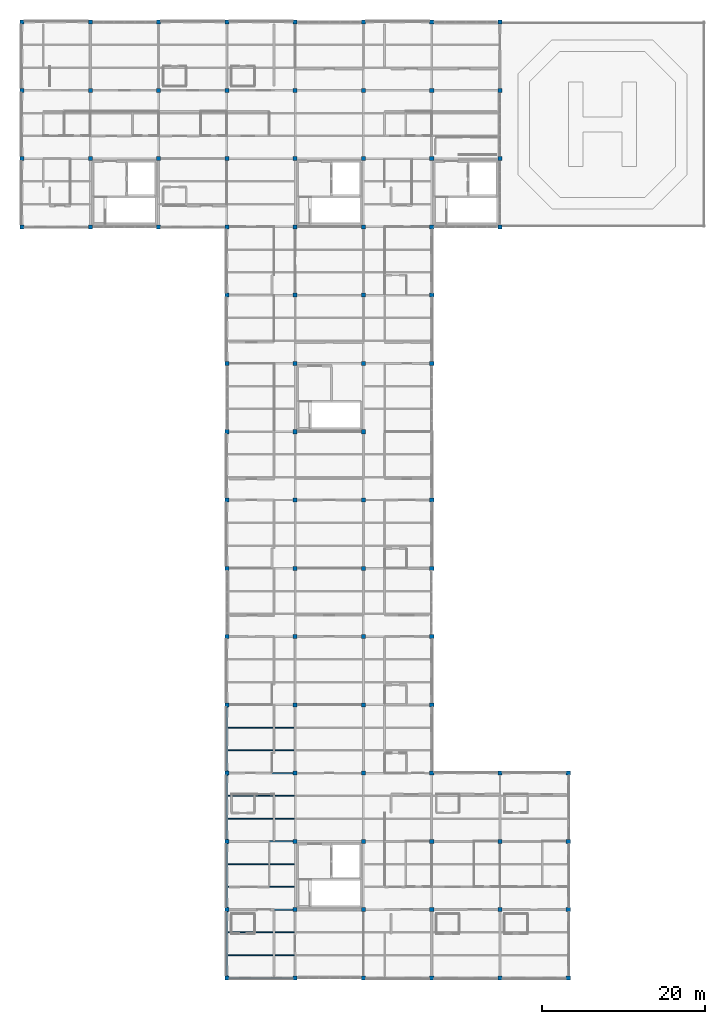
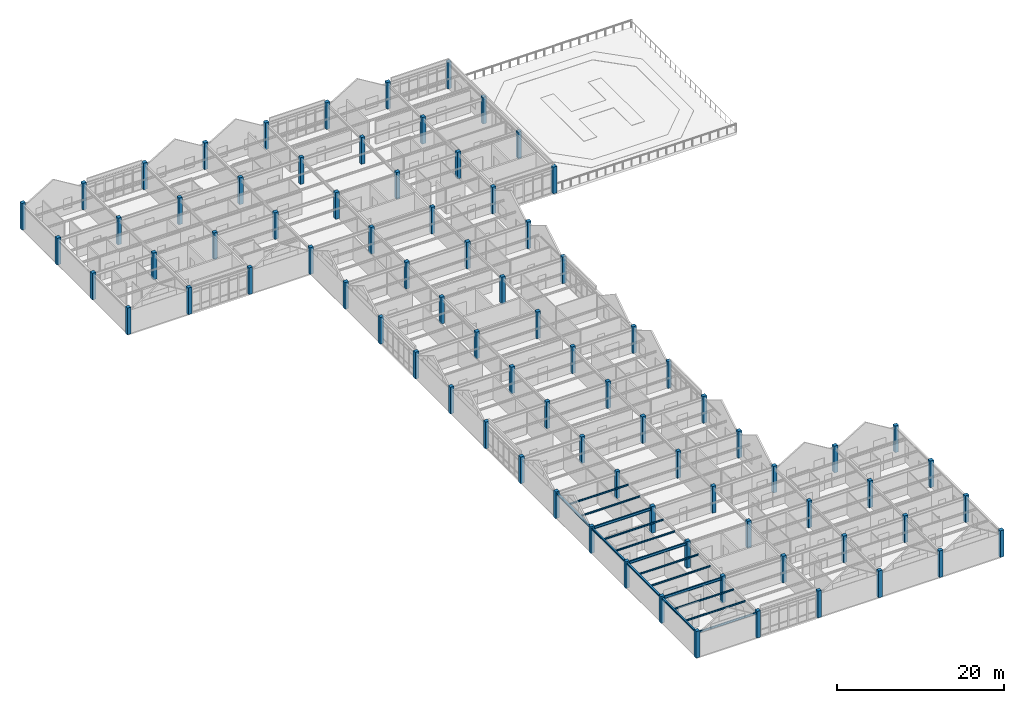
# One storey, part 1 of 45: 83 columns, 16 beams.
"""IFC4 building model written with IfcOpenShell, lengths in metres."""

from ifc_helpers import new_model, si_unit, direction, frame, origin, origin_2d, place, context, subcontext, project, spatial, rectangle, hollow_rectangle, i_section, extrude, material, material_profile, profile_set, type_object, element, save


model = new_model("IFC4")

# Units and contexts
model_context = context("Model", 3, precision=1e-05, world=origin(), true_north=direction((0.0, 1.0)))
body_context = subcontext(model_context, "Body", "Model", "MODEL_VIEW")
ifc_project = project(units=[si_unit("LENGTHUNIT", "METRE"), si_unit("AREAUNIT", "SQUARE_METRE"), si_unit("VOLUMEUNIT", "CUBIC_METRE"), si_unit("PLANEANGLEUNIT", "RADIAN"), si_unit("MASSUNIT", "GRAM", prefix="KILO")], contexts=[model_context])

# Site, building, storey
site_placement = place(None, origin())
site = spatial("IfcSite", under=ifc_project, at=site_placement, CompositionType="ELEMENT")
building_placement = place(site_placement, origin())
building = spatial("IfcBuilding", under=site, at=building_placement, Name="Bramfleet General Hospital", CompositionType="ELEMENT")
storey_placement = place(building_placement, frame((0.0, 0.0, 30.300048828125)))
storey = spatial("IfcBuildingStorey", under=building, at=storey_placement, Name="L07", CompositionType="ELEMENT", Elevation=30.300048828125)

# Columns
ifc_material_1 = material(Name="Concrete C40/50", Category="concrete")
ifc_material_profile_1 = material_profile(ifc_material_1, rectangle(XDim=0.5, YDim=0.5, at=origin_2d()), Name="RC COL 500x500")
ifc_profile_set_1 = profile_set([ifc_material_profile_1], Name="Concrete C40/50")
column_type = type_object("IfcColumnType", Name="COL-RC500", PredefinedType="COLUMN", material=ifc_profile_set_1)
for number, where, z_axis, x_axis, name in (
    (1, (67.199951171875, 92.39990234375, 0.0), (0.0, 0.0, 1.0), (1.0, 0.0, 0.0), "Column COL-L07-08-11"),
    (2, (67.199951171875, 100.800048828125, 0.0), (0.0, 0.0, 1.0), (1.0, 0.0, 0.0), "Column COL-L07-08-12"),
    (3, (67.199951171875, 109.199951171875, 0.0), (0.0, 0.0, 1.0), (1.0, 0.0, 0.0), "Column COL-L07-08-13"),
    (4, (67.199951171875, 117.60009765625, 0.0), (0.0, 0.0, 1.0), (1.0, 0.0, 0.0), "Column COL-L07-08-14"),
    (5, (75.60009765625, 92.39990234375, 0.0), (0.0, 0.0, 1.0), (1.0, 0.0, 0.0), "Column COL-L07-09-11"),
    (6, (75.60009765625, 100.800048828125, 0.0), (0.0, 0.0, 1.0), (1.0, 0.0, 0.0), "Column COL-L07-09-12"),
    (7, (75.60009765625, 109.199951171875, 0.0), (0.0, 0.0, 1.0), (1.0, 0.0, 0.0), "Column COL-L07-09-13"),
    (8, (75.60009765625, 117.60009765625, 0.0), (0.0, 0.0, 1.0), (1.0, 0.0, 0.0), "Column COL-L07-09-14"),
    (9, (84.0, 92.39990234375, 0.0), (0.0, 0.0, 1.0), (1.0, 0.0, 0.0), "Column COL-L07-10-11"),
    (10, (84.0, 100.800048828125, 0.0), (0.0, 0.0, 1.0), (1.0, 0.0, 0.0), "Column COL-L07-10-12"),
    (11, (84.0, 109.199951171875, 0.0), (0.0, 0.0, 1.0), (1.0, 0.0, 0.0), "Column COL-L07-10-13"),
    (12, (84.0, 117.60009765625, 0.0), (0.0, 0.0, 1.0), (1.0, 0.0, 0.0), "Column COL-L07-10-14"),
    (13, (92.39990234375, 0.0, 0.0), (0.0, 0.0, 1.0), (1.0, 0.0, 0.0), "Column COL-L07-11-00"),
    (14, (92.39990234375, 8.39990234375, 0.0), (0.0, 0.0, 1.0), (1.0, 0.0, 0.0), "Column COL-L07-11-01"),
    (15, (92.39990234375, 16.800048828125, 0.0), (0.0, 0.0, 1.0), (1.0, 0.0, 0.0), "Column COL-L07-11-02"),
    (16, (92.39990234375, 25.199951171875, 0.0), (0.0, 0.0, 1.0), (1.0, 0.0, 0.0), "Column COL-L07-11-03"),
    (17, (92.39990234375, 33.60009765625, 0.0), (0.0, 0.0, 1.0), (1.0, 0.0, 0.0), "Column COL-L07-11-04"),
    (18, (92.39990234375, 42.0, 0.0), (0.0, 0.0, 1.0), (1.0, 0.0, 0.0), "Column COL-L07-11-05"),
    (19, (92.39990234375, 50.39990234375, 0.0), (0.0, 0.0, 1.0), (1.0, 0.0, 0.0), "Column COL-L07-11-06"),
    (20, (92.39990234375, 58.800048828125, 0.0), (0.0, 0.0, 1.0), (1.0, 0.0, 0.0), "Column COL-L07-11-07"),
    (21, (92.39990234375, 67.199951171875, 0.0), (0.0, 0.0, 1.0), (1.0, 0.0, 0.0), "Column COL-L07-11-08"),
    (22, (92.39990234375, 75.60009765625, 0.0), (0.0, 0.0, 1.0), (1.0, 0.0, 0.0), "Column COL-L07-11-09"),
    (23, (92.39990234375, 84.0, 0.0), (0.0, 0.0, 1.0), (1.0, 0.0, 0.0), "Column COL-L07-11-10"),
    (24, (92.39990234375, 92.39990234375, 0.0), (0.0, 0.0, 1.0), (1.0, 0.0, 0.0), "Column COL-L07-11-11"),
    (25, (92.39990234375, 100.800048828125, 0.0), (0.0, 0.0, 1.0), (1.0, 0.0, 0.0), "Column COL-L07-11-12"),
    (26, (92.39990234375, 109.199951171875, 0.0), (0.0, 0.0, 1.0), (1.0, 0.0, 0.0), "Column COL-L07-11-13"),
    (27, (92.39990234375, 117.60009765625, 0.0), (0.0, 0.0, 1.0), (1.0, 0.0, 0.0), "Column COL-L07-11-14"),
    (28, (100.800048828125, 0.0, 0.0), (0.0, 0.0, 1.0), (1.0, 0.0, 0.0), "Column COL-L07-12-00"),
    (29, (100.800048828125, 8.39990234375, 0.0), (0.0, 0.0, 1.0), (1.0, 0.0, 0.0), "Column COL-L07-12-01"),
    (30, (100.800048828125, 16.800048828125, 0.0), (0.0, 0.0, 1.0), (1.0, 0.0, 0.0), "Column COL-L07-12-02"),
    (31, (100.800048828125, 25.199951171875, 0.0), (0.0, 0.0, 1.0), (1.0, 0.0, 0.0), "Column COL-L07-12-03"),
    (32, (100.800048828125, 33.60009765625, 0.0), (0.0, 0.0, 1.0), (1.0, 0.0, 0.0), "Column COL-L07-12-04"),
    (33, (100.800048828125, 42.0, 0.0), (0.0, 0.0, 1.0), (1.0, 0.0, 0.0), "Column COL-L07-12-05"),
    (34, (100.800048828125, 50.39990234375, 0.0), (0.0, 0.0, 1.0), (1.0, 0.0, 0.0), "Column COL-L07-12-06"),
    (35, (100.800048828125, 58.800048828125, 0.0), (0.0, 0.0, 1.0), (1.0, 0.0, 0.0), "Column COL-L07-12-07"),
    (36, (100.800048828125, 67.199951171875, 0.0), (0.0, 0.0, 1.0), (1.0, 0.0, 0.0), "Column COL-L07-12-08"),
    (37, (100.800048828125, 75.60009765625, 0.0), (0.0, 0.0, 1.0), (1.0, 0.0, 0.0), "Column COL-L07-12-09"),
    (38, (100.800048828125, 84.0, 0.0), (0.0, 0.0, 1.0), (1.0, 0.0, 0.0), "Column COL-L07-12-10"),
    (39, (100.800048828125, 92.39990234375, 0.0), (0.0, 0.0, 1.0), (1.0, 0.0, 0.0), "Column COL-L07-12-11"),
    (40, (100.800048828125, 100.800048828125, 0.0), (0.0, 0.0, 1.0), (1.0, 0.0, 0.0), "Column COL-L07-12-12"),
    (41, (100.800048828125, 109.199951171875, 0.0), (0.0, 0.0, 1.0), (1.0, 0.0, 0.0), "Column COL-L07-12-13"),
    (42, (100.800048828125, 117.60009765625, 0.0), (0.0, 0.0, 1.0), (1.0, 0.0, 0.0), "Column COL-L07-12-14"),
    (43, (109.199951171875, 0.0, 0.0), (0.0, 0.0, 1.0), (1.0, 0.0, 0.0), "Column COL-L07-13-00"),
    (44, (109.199951171875, 8.39990234375, 0.0), (0.0, 0.0, 1.0), (1.0, 0.0, 0.0), "Column COL-L07-13-01"),
    (45, (109.199951171875, 16.800048828125, 0.0), (0.0, 0.0, 1.0), (1.0, 0.0, 0.0), "Column COL-L07-13-02"),
    (46, (109.199951171875, 25.199951171875, 0.0), (0.0, 0.0, 1.0), (1.0, 0.0, 0.0), "Column COL-L07-13-03"),
    (47, (109.199951171875, 33.60009765625, 0.0), (0.0, 0.0, 1.0), (1.0, 0.0, 0.0), "Column COL-L07-13-04"),
    (48, (109.199951171875, 42.0, 0.0), (0.0, 0.0, 1.0), (1.0, 0.0, 0.0), "Column COL-L07-13-05"),
    (49, (109.199951171875, 50.39990234375, 0.0), (0.0, 0.0, 1.0), (1.0, 0.0, 0.0), "Column COL-L07-13-06"),
    (50, (109.199951171875, 58.800048828125, 0.0), (0.0, 0.0, 1.0), (1.0, 0.0, 0.0), "Column COL-L07-13-07"),
    (51, (109.199951171875, 67.199951171875, 0.0), (0.0, 0.0, 1.0), (1.0, 0.0, 0.0), "Column COL-L07-13-08"),
    (52, (109.199951171875, 75.60009765625, 0.0), (0.0, 0.0, 1.0), (1.0, 0.0, 0.0), "Column COL-L07-13-09"),
    (53, (109.199951171875, 84.0, 0.0), (0.0, 0.0, 1.0), (1.0, 0.0, 0.0), "Column COL-L07-13-10"),
    (54, (109.199951171875, 92.39990234375, 0.0), (0.0, 0.0, 1.0), (1.0, 0.0, 0.0), "Column COL-L07-13-11"),
    (55, (109.199951171875, 100.800048828125, 0.0), (0.0, 0.0, 1.0), (1.0, 0.0, 0.0), "Column COL-L07-13-12"),
    (56, (109.199951171875, 109.199951171875, 0.0), (0.0, 0.0, 1.0), (1.0, 0.0, 0.0), "Column COL-L07-13-13"),
    (57, (109.199951171875, 117.60009765625, 0.0), (0.0, 0.0, 1.0), (1.0, 0.0, 0.0), "Column COL-L07-13-14"),
    (58, (117.60009765625, 0.0, 0.0), (0.0, 0.0, 1.0), (1.0, 0.0, 0.0), "Column COL-L07-14-00"),
    (59, (117.60009765625, 8.39990234375, 0.0), (0.0, 0.0, 1.0), (1.0, 0.0, 0.0), "Column COL-L07-14-01"),
    (60, (117.60009765625, 16.800048828125, 0.0), (0.0, 0.0, 1.0), (1.0, 0.0, 0.0), "Column COL-L07-14-02"),
    (61, (117.60009765625, 25.199951171875, 0.0), (0.0, 0.0, 1.0), (1.0, 0.0, 0.0), "Column COL-L07-14-03"),
    (62, (117.60009765625, 33.60009765625, 0.0), (0.0, 0.0, 1.0), (1.0, 0.0, 0.0), "Column COL-L07-14-04"),
    (63, (117.60009765625, 42.0, 0.0), (0.0, 0.0, 1.0), (1.0, 0.0, 0.0), "Column COL-L07-14-05"),
    (64, (117.60009765625, 50.39990234375, 0.0), (0.0, 0.0, 1.0), (1.0, 0.0, 0.0), "Column COL-L07-14-06"),
    (65, (117.60009765625, 58.800048828125, 0.0), (0.0, 0.0, 1.0), (1.0, 0.0, 0.0), "Column COL-L07-14-07"),
    (66, (117.60009765625, 75.60009765625, 0.0), (0.0, 0.0, 1.0), (1.0, 0.0, 0.0), "Column COL-L07-14-09"),
    (67, (117.60009765625, 84.0, 0.0), (0.0, 0.0, 1.0), (1.0, 0.0, 0.0), "Column COL-L07-14-10"),
    (68, (117.60009765625, 92.39990234375, 0.0), (0.0, 0.0, 1.0), (1.0, 0.0, 0.0), "Column COL-L07-14-11"),
    (69, (117.60009765625, 100.800048828125, 0.0), (0.0, 0.0, 1.0), (1.0, 0.0, 0.0), "Column COL-L07-14-12"),
    (70, (117.60009765625, 109.199951171875, 0.0), (0.0, 0.0, 1.0), (1.0, 0.0, 0.0), "Column COL-L07-14-13"),
    (71, (117.60009765625, 117.60009765625, 0.0), (0.0, 0.0, 1.0), (1.0, 0.0, 0.0), "Column COL-L07-14-14"),
    (72, (126.0, 0.0, 0.0), (0.0, 0.0, 1.0), (1.0, 0.0, 0.0), "Column COL-L07-15-00"),
    (73, (126.0, 8.39990234375, 0.0), (0.0, 0.0, 1.0), (1.0, 0.0, 0.0), "Column COL-L07-15-01"),
    (74, (126.0, 16.800048828125, 0.0), (0.0, 0.0, 1.0), (1.0, 0.0, 0.0), "Column COL-L07-15-02"),
    (75, (126.0, 25.199951171875, 0.0), (0.0, 0.0, 1.0), (1.0, 0.0, 0.0), "Column COL-L07-15-03"),
    (76, (126.0, 92.39990234375, 0.0), (0.0, 0.0, 1.0), (1.0, 0.0, 0.0), "Column COL-L07-15-11"),
    (77, (126.0, 100.800048828125, 0.0), (0.0, 0.0, 1.0), (1.0, 0.0, 0.0), "Column COL-L07-15-12"),
    (78, (126.0, 109.199951171875, 0.0), (0.0, 0.0, 1.0), (1.0, 0.0, 0.0), "Column COL-L07-15-13"),
    (79, (126.0, 117.60009765625, 0.0), (0.0, 0.0, 1.0), (1.0, 0.0, 0.0), "Column COL-L07-15-14"),
    (80, (134.39990234375, 0.0, 0.0), (0.0, 0.0, 1.0), (1.0, 0.0, 0.0), "Column COL-L07-16-00"),
    (81, (134.39990234375, 8.39990234375, 0.0), (0.0, 0.0, 1.0), (1.0, 0.0, 0.0), "Column COL-L07-16-01"),
    (82, (134.39990234375, 16.800048828125, 0.0), (0.0, 0.0, 1.0), (1.0, 0.0, 0.0), "Column COL-L07-16-02"),
    (83, (134.39990234375, 25.199951171875, 0.0), (0.0, 0.0, 1.0), (1.0, 0.0, 0.0), "Column COL-L07-16-03"),
):
    element("IfcColumn", number, at=place(storey_placement, frame(where, z_axis=z_axis, x_axis=x_axis)), inside=storey, type_object=column_type, Name=name, PredefinedType="COLUMN", context=body_context, shape_type="SweptSolid", body=[
        extrude(rectangle(XDim=0.5, YDim=0.5, at=origin_2d()), origin(), (0.0, 0.0, 1.0), 3.89990234375),
    ])

# Beams
ifc_material_2 = material(Name="Steel S355", Category="steel")
ifc_material_profile_2 = material_profile(ifc_material_2, i_section(OverallWidth=0.239990234375, OverallDepth=0.22998046875, WebThickness=0.007568359375, FlangeThickness=0.011962890625, FilletRadius=0.02099609375, at=origin_2d()), Name="HEA 240")
ifc_profile_set_2 = profile_set([ifc_material_profile_2], Name="Steel S355")
beam_type_1 = type_object("IfcBeamType", Name="BM-HEA240", PredefinedType="SPANDREL", material=ifc_profile_set_2)
beam_1_placement = place(storey_placement, frame((92.39990234375, 0.25, 3.544921875), z_axis=(0.0, 1.0, 0.0), x_axis=(-1.0, 0.0, 0.0)))
element("IfcBeam", 84, at=beam_1_placement, inside=storey, type_object=beam_type_1, Name="L07 Grid Beam Y 11-00", PredefinedType="SPANDREL", context=body_context, shape_type="SweptSolid", body=[
    extrude(i_section(OverallWidth=0.239990234375, OverallDepth=0.22998046875, WebThickness=0.007568359375, FlangeThickness=0.011962890625, FilletRadius=0.02099609375, at=origin_2d()), origin(), (0.0, 0.0, 1.0), 7.89990234375),
])
beam_2_placement = place(storey_placement, frame((92.39990234375, 8.64990234375, 3.544921875), z_axis=(0.0, 1.0, 0.0), x_axis=(-1.0, 0.0, 0.0)))
element("IfcBeam", 85, at=beam_2_placement, inside=storey, type_object=beam_type_1, Name="L07 Grid Beam Y 11-01", PredefinedType="SPANDREL", context=body_context, shape_type="SweptSolid", body=[
    extrude(i_section(OverallWidth=0.239990234375, OverallDepth=0.22998046875, WebThickness=0.007568359375, FlangeThickness=0.011962890625, FilletRadius=0.02099609375, at=origin_2d()), origin(), (0.0, 0.0, 1.0), 7.900146484375),
])
beam_3_placement = place(storey_placement, frame((92.39990234375, 17.050048828125, 3.544921875), z_axis=(0.0, 1.0, 0.0), x_axis=(-1.0, 0.0, 0.0)))
element("IfcBeam", 86, at=beam_3_placement, inside=storey, type_object=beam_type_1, Name="L07 Grid Beam Y 11-02", PredefinedType="SPANDREL", context=body_context, shape_type="SweptSolid", body=[
    extrude(i_section(OverallWidth=0.239990234375, OverallDepth=0.22998046875, WebThickness=0.007568359375, FlangeThickness=0.011962890625, FilletRadius=0.02099609375, at=origin_2d()), origin(), (0.0, 0.0, 1.0), 7.89990234375),
])
beam_4_placement = place(storey_placement, frame((92.39990234375, 25.449951171875, 3.544921875), z_axis=(0.0, 1.0, 0.0), x_axis=(-1.0, 0.0, 0.0)))
element("IfcBeam", 87, at=beam_4_placement, inside=storey, type_object=beam_type_1, Name="L07 Grid Beam Y 11-03", PredefinedType="SPANDREL", context=body_context, shape_type="SweptSolid", body=[
    extrude(i_section(OverallWidth=0.239990234375, OverallDepth=0.22998046875, WebThickness=0.007568359375, FlangeThickness=0.011962890625, FilletRadius=0.02099609375, at=origin_2d()), origin(), (0.0, 0.0, 1.0), 7.900146484375),
])
ifc_material_profile_3 = material_profile(ifc_material_2, i_section(OverallWidth=0.1201171875, OverallDepth=0.239990234375, WebThickness=0.006103515625, FlangeThickness=0.009765625, FilletRadius=0.014892578125, at=origin_2d()), Name="IPE 240")
ifc_profile_set_3 = profile_set([ifc_material_profile_3], Name="Steel S355")
beam_type_2 = type_object("IfcBeamType", Name="BM-IPE240", PredefinedType="JOIST", material=ifc_profile_set_3)
for number, where, z_axis, x_axis, name in (
    (88, (92.52001953125, 2.800048828125, 3.5400390625), (1.0, 0.0, 0.0), (0.0, 1.0, 0.0), "L07 Secondary Joist 11-00-1"),
    (89, (92.52001953125, 5.60009765625, 3.5400390625), (1.0, 0.0, 0.0), (0.0, 1.0, 0.0), "L07 Secondary Joist 11-00-2"),
    (90, (92.52001953125, 11.199951171875, 3.5400390625), (1.0, 0.0, 0.0), (0.0, 1.0, 0.0), "L07 Secondary Joist 11-01-1"),
    (91, (92.52001953125, 14.0, 3.5400390625), (1.0, 0.0, 0.0), (0.0, 1.0, 0.0), "L07 Secondary Joist 11-01-2"),
    (92, (92.52001953125, 19.60009765625, 3.5400390625), (1.0, 0.0, 0.0), (0.0, 1.0, 0.0), "L07 Secondary Joist 11-02-1"),
    (93, (92.52001953125, 22.39990234375, 3.5400390625), (1.0, 0.0, 0.0), (0.0, 1.0, 0.0), "L07 Secondary Joist 11-02-2"),
    (94, (92.52001953125, 28.0, 3.5400390625), (1.0, 0.0, 0.0), (0.0, 1.0, 0.0), "L07 Secondary Joist 11-03-1"),
    (95, (92.52001953125, 30.800048828125, 3.5400390625), (1.0, 0.0, 0.0), (0.0, 1.0, 0.0), "L07 Secondary Joist 11-03-2"),
):
    element("IfcBeam", number, at=place(storey_placement, frame(where, z_axis=z_axis, x_axis=x_axis)), inside=storey, type_object=beam_type_2, Name=name, PredefinedType="JOIST", context=body_context, shape_type="SweptSolid", body=[
        extrude(i_section(OverallWidth=0.1201171875, OverallDepth=0.239990234375, WebThickness=0.006103515625, FlangeThickness=0.009765625, FilletRadius=0.014892578125, at=origin_2d()), origin(), (0.0, 0.0, 1.0), 8.18994140625),
    ])
ifc_material_profile_4 = material_profile(ifc_material_2, i_section(OverallWidth=0.179931640625, OverallDepth=0.39990234375, WebThickness=0.008544921875, FlangeThickness=0.013427734375, FilletRadius=0.02099609375, at=origin_2d()), Name="IPE 400")
ifc_profile_set_4 = profile_set([ifc_material_profile_4], Name="Steel S355")
beam_type_3 = type_object("IfcBeamType", Name="BM-IPE400", PredefinedType="BEAM", material=ifc_profile_set_4)
for number, where, z_axis, x_axis, name in (
    (96, (92.64990234375, 8.39990234375, 3.4599609375), (1.0, 0.0, 0.0), (0.0, 1.0, 0.0), "L07 Grid Beam X 11-01"),
    (97, (92.64990234375, 16.800048828125, 3.4599609375), (1.0, 0.0, 0.0), (0.0, 1.0, 0.0), "L07 Grid Beam X 11-02"),
    (98, (92.64990234375, 25.199951171875, 3.4599609375), (1.0, 0.0, 0.0), (0.0, 1.0, 0.0), "L07 Grid Beam X 11-03"),
):
    element("IfcBeam", number, at=place(storey_placement, frame(where, z_axis=z_axis, x_axis=x_axis)), inside=storey, type_object=beam_type_3, Name=name, PredefinedType="BEAM", context=body_context, shape_type="SweptSolid", body=[
        extrude(i_section(OverallWidth=0.179931640625, OverallDepth=0.39990234375, WebThickness=0.008544921875, FlangeThickness=0.013427734375, FilletRadius=0.02099609375, at=origin_2d()), origin(), (0.0, 0.0, 1.0), 7.900146484375),
    ])
ifc_material_profile_5 = material_profile(ifc_material_2, hollow_rectangle(XDim=0.14990234375, YDim=0.25, WallThickness=0.010009765625, at=origin_2d()), Name="RHS 250x150x10.0")
ifc_profile_set_5 = profile_set([ifc_material_profile_5], Name="Steel S355")
beam_type_4 = type_object("IfcBeamType", Name="BM-RHS250", PredefinedType="SPANDREL", material=ifc_profile_set_5)
beam_5_placement = place(storey_placement, frame((92.64990234375, 0.0, 3.534912109375), z_axis=(1.0, 0.0, 0.0), x_axis=(0.0, 1.0, 0.0)))
element("IfcBeam", 99, at=beam_5_placement, inside=storey, type_object=beam_type_4, Name="L07 Grid Beam X 11-00", PredefinedType="SPANDREL", context=body_context, shape_type="SweptSolid", body=[
    extrude(hollow_rectangle(XDim=0.14990234375, YDim=0.25, WallThickness=0.010009765625, at=origin_2d()), origin(), (0.0, 0.0, 1.0), 7.900146484375),
])

save(model, "model.ifc")
